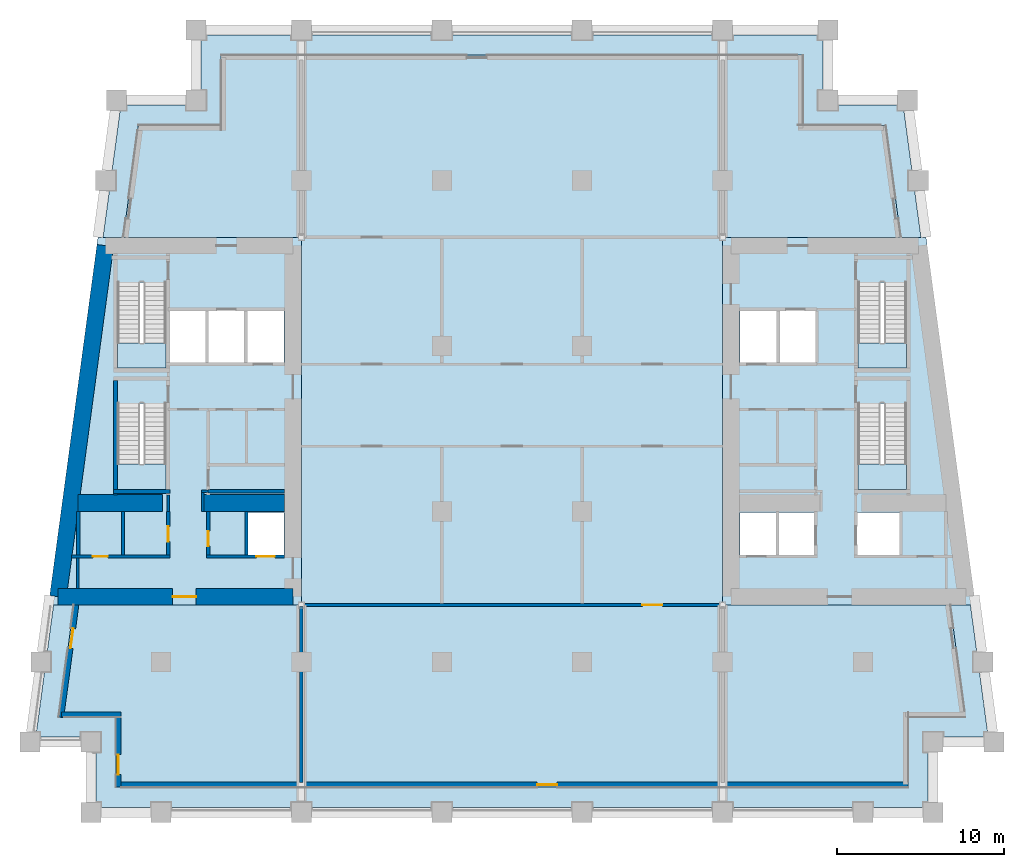
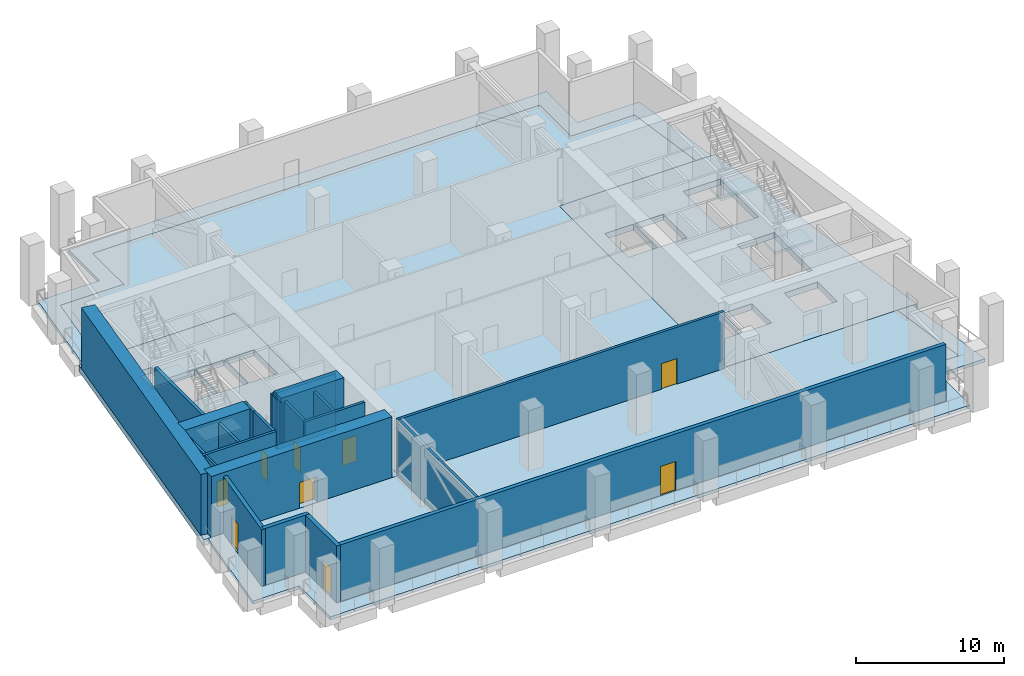
# One storey, part 4 of 11: 24 walls, 9 doors, 9 slabs, 9 openings, 4 elements without a shape of their own.
"""IFC4 building model written with IfcOpenShell, lengths in metres."""

from ifc_helpers import new_model, si_unit, direction, frame, frame_2d, origin, place, context, subcontext, project, spatial, polyline, rectangle, outline, extrude, material, layer, layer_set, type_object, element, fill, aggregate, save


model = new_model("IFC4")

# Units and contexts
model_context = context("Model", 3, precision=1e-05, world=origin(), true_north=direction((0.0, 1.0)))
body_context = subcontext(model_context, "Body", "Model", "MODEL_VIEW")
ifc_project = project(units=[si_unit("LENGTHUNIT", "METRE"), si_unit("AREAUNIT", "SQUARE_METRE"), si_unit("VOLUMEUNIT", "CUBIC_METRE"), si_unit("PLANEANGLEUNIT", "RADIAN"), si_unit("MASSUNIT", "GRAM", prefix="KILO")], contexts=[model_context])

# Site, building, storey
site_placement = place(None, origin())
site = spatial("IfcSite", under=ifc_project, at=site_placement, CompositionType="ELEMENT")
building_placement = place(site_placement, origin())
building = spatial("IfcBuilding", under=site, at=building_placement, Name="Candeia Pilgrim Tower and Theatre", CompositionType="ELEMENT")
storey_placement = place(building_placement, frame((0.0, 0.0, 142.800048828125)))
storey = spatial("IfcBuildingStorey", under=building, at=storey_placement, Name="L33", CompositionType="ELEMENT", Elevation=142.800048828125)

# Slabs
ifc_material_1 = material(Name="Concrete C60/75", Category="concrete")
ifc_layer_1 = layer(ifc_material_1, 0.5)
ifc_layer_set_1 = layer_set([ifc_layer_1], Name="FS-CORE 500 core floor")
slab_type_1 = type_object("IfcSlabType", Name="FS-CORE 500 core floor", PredefinedType="FLOOR", material=ifc_layer_set_1)
slab_1_placement = place(storey_placement, frame((0.0, 0.0, -0.5)))
element("IfcSlab", 1, at=slab_1_placement, inside=storey, type_object=slab_type_1, Name="Core floor W L33", PredefinedType="FLOOR", context=body_context, shape_type="SweptSolid", body=[
    extrude(outline(polyline([(100.800048828125, 132.39990234375), (100.800048828125, 110.39990234375), (85.669189453125, 110.39990234375), (88.630859375, 132.39990234375), (100.800048828125, 132.39990234375)]), holes=[polyline([(97.525634765625, 128.050048828125), (97.525634765625, 124.85009765625), (99.75, 124.85009765625), (99.75, 128.050048828125), (97.525634765625, 128.050048828125)]), polyline([(97.5634765625, 113.35009765625), (99.75, 113.35009765625), (99.75, 115.949951171875), (97.5634765625, 115.949951171875), (97.5634765625, 113.35009765625)]), polyline([(95.201416015625, 124.85009765625), (97.42578125, 124.85009765625), (97.42578125, 128.050048828125), (95.201416015625, 128.050048828125), (95.201416015625, 124.85009765625)]), polyline([(92.876953125, 128.050048828125), (92.876953125, 124.85009765625), (95.101318359375, 124.85009765625), (95.101318359375, 128.050048828125), (92.876953125, 128.050048828125)]), polyline([(89.802001953125, 122.455078125), (89.802001953125, 117.324951171875), (92.701904296875, 117.324951171875), (92.701904296875, 122.455078125), (89.802001953125, 122.455078125)]), polyline([(89.802001953125, 129.705078125), (89.802001953125, 124.574951171875), (92.701904296875, 124.574951171875), (92.701904296875, 129.705078125), (89.802001953125, 129.705078125)])]), origin(), (0.0, 0.0, 1.0), 0.5),
])
slab_2_placement = place(storey_placement, frame((0.0, 0.0, -0.5)))
element("IfcSlab", 2, at=slab_2_placement, inside=storey, type_object=slab_type_1, Name="Core floor E L33", PredefinedType="FLOOR", context=body_context, shape_type="SweptSolid", body=[
    extrude(outline(polyline([(138.169189453125, 132.39990234375), (141.130859375, 110.39990234375), (126.0, 110.39990234375), (126.0, 132.39990234375), (138.169189453125, 132.39990234375)]), holes=[polyline([(134.097900390625, 122.455078125), (134.097900390625, 117.324951171875), (136.998046875, 117.324951171875), (136.998046875, 122.455078125), (134.097900390625, 122.455078125)]), polyline([(134.097900390625, 129.705078125), (134.097900390625, 124.574951171875), (136.998046875, 124.574951171875), (136.998046875, 129.705078125), (134.097900390625, 129.705078125)]), polyline([(136.6220703125, 115.949951171875), (134.02294921875, 115.949951171875), (134.02294921875, 113.35009765625), (136.6220703125, 113.35009765625), (136.6220703125, 115.949951171875)]), polyline([(131.5986328125, 128.050048828125), (129.374267578125, 128.050048828125), (129.374267578125, 124.85009765625), (131.5986328125, 124.85009765625), (131.5986328125, 128.050048828125)]), polyline([(131.52294921875, 115.949951171875), (129.33642578125, 115.949951171875), (129.33642578125, 113.35009765625), (131.52294921875, 113.35009765625), (131.52294921875, 115.949951171875)]), polyline([(129.2744140625, 128.050048828125), (127.050048828125, 128.050048828125), (127.050048828125, 124.85009765625), (129.2744140625, 124.85009765625), (129.2744140625, 128.050048828125)]), polyline([(127.050048828125, 115.949951171875), (127.050048828125, 113.35009765625), (129.236572265625, 113.35009765625), (129.236572265625, 115.949951171875), (127.050048828125, 115.949951171875)])]), origin(), (0.0, 0.0, 1.0), 0.5),
])
ifc_material_2 = material(Name="Concrete C50/60", Category="concrete")
ifc_layer_2 = layer(ifc_material_2, 0.5)
ifc_layer_set_2 = layer_set([ifc_layer_2], Name="Floor slab 500 C50/60")
slab_type_2 = type_object("IfcSlabType", Name="Floor slab 500 C50/60", PredefinedType="FLOOR", material=ifc_layer_set_2)
slab_3_placement = place(storey_placement, frame((0.0, 0.0, -0.5)))
element("IfcSlab", 3, at=slab_3_placement, inside=storey, type_object=slab_type_2, Name="Floor slab L33", PredefinedType="FLOOR", context=body_context, shape_type="SweptSolid", body=[
    extrude(outline(polyline([(96.0, 139.10009765625), (96.0, 143.300048828125), (130.800048828125, 143.300048828125), (130.800048828125, 139.10009765625), (135.753662109375, 139.10009765625), (136.65576171875, 132.39990234375), (126.0, 132.39990234375), (126.0, 110.39990234375), (139.6171875, 110.39990234375), (140.51904296875, 103.699951171875), (137.10009765625, 103.699951171875), (137.10009765625, 99.5), (89.699951171875, 99.5), (89.699951171875, 103.699951171875), (86.28076171875, 103.699951171875), (87.182861328125, 110.39990234375), (100.800048828125, 110.39990234375), (100.800048828125, 132.39990234375), (90.144287109375, 132.39990234375), (91.046142578125, 139.10009765625), (96.0, 139.10009765625)])), origin(), (0.0, 0.0, 1.0), 0.5),
])
ifc_material_3 = material(Name="Concrete C40/50", Category="concrete")
ifc_layer_3 = layer(ifc_material_3, 0.25)
ifc_layer_set_3 = layer_set([ifc_layer_3], Name="Loggia slab 250 C40/50")
slab_type_3 = type_object("IfcSlabType", Name="Loggia slab 250 C40/50", PredefinedType="FLOOR", material=ifc_layer_set_3)
slab_4_placement = place(storey_placement, frame((0.0, 0.0, -0.25)))
element("IfcSlab", 4, at=slab_4_placement, inside=storey, type_object=slab_type_3, Name="Loggia slab L33 1", PredefinedType="FLOOR", context=body_context, shape_type="SweptSolid", body=[
    extrude(outline(polyline([(87.182861328125, 110.39990234375), (86.28076171875, 103.699951171875), (89.699951171875, 103.699951171875), (89.699951171875, 99.5), (137.10009765625, 99.5), (137.10009765625, 103.699951171875), (140.51904296875, 103.699951171875), (139.6171875, 110.39990234375), (140.828125, 110.39990234375), (141.8916015625, 102.5), (138.300048828125, 102.5), (138.300048828125, 98.300048828125), (88.5, 98.300048828125), (88.5, 102.5), (84.908447265625, 102.5), (85.971923828125, 110.39990234375), (87.182861328125, 110.39990234375)])), origin(), (0.0, 0.0, 1.0), 0.25),
])
slab_5_placement = place(storey_placement, frame((0.0, 0.0, -0.25)))
element("IfcSlab", 5, at=slab_5_placement, inside=storey, type_object=slab_type_3, Name="Loggia slab L33 2", PredefinedType="FLOOR", context=body_context, shape_type="SweptSolid", body=[
    extrude(outline(polyline([(136.65576171875, 132.39990234375), (135.753662109375, 139.10009765625), (130.800048828125, 139.10009765625), (130.800048828125, 143.300048828125), (96.0, 143.300048828125), (96.0, 139.10009765625), (91.046142578125, 139.10009765625), (90.144287109375, 132.39990234375), (88.93359375, 132.39990234375), (89.996826171875, 140.300048828125), (94.800048828125, 140.300048828125), (94.800048828125, 144.5), (132.0, 144.5), (132.0, 140.300048828125), (136.802978515625, 140.300048828125), (137.866455078125, 132.39990234375), (136.65576171875, 132.39990234375)])), origin(), (0.0, 0.0, 1.0), 0.25),
])

# Stair, slab
stair_type = type_object("IfcStairType", Name="ST-TWR dog-leg escape stair", PredefinedType="HALF_TURN_STAIR", material=ifc_material_3)
stair_1_placement = place(storey_placement, origin())
stair_1 = element("IfcStair", 6, at=stair_1_placement, inside=storey, type_object=stair_type, Name="L33 Escape stair ST1", PredefinedType="HALF_TURN_STAIR")
ifc_layer_4 = layer(ifc_material_3, 0.199951171875)
ifc_layer_set_4 = layer_set([ifc_layer_4], Name="SL-LANDING stair landing")
slab_type_4 = type_object("IfcSlabType", Name="SL-LANDING stair landing", PredefinedType="LANDING", material=ifc_layer_set_4)
slab_6_placement = place(storey_placement, frame((0.0, 0.0, 2.300048828125)))
slab_6 = element("IfcSlab", 7, at=slab_6_placement, type_object=slab_type_4, Name="ST1 landing 1", PredefinedType="LANDING", context=body_context, shape_type="SweptSolid", body=[
    extrude(outline(polyline([(89.802001953125, 118.8349609375), (89.802001953125, 117.324951171875), (92.701904296875, 117.324951171875), (92.701904296875, 118.8349609375), (89.802001953125, 118.8349609375)])), origin(), (0.0, 0.0, 1.0), 0.199951171875),
])
aggregate(stair_1, [slab_6])

stair_2_placement = place(storey_placement, origin())
stair_2 = element("IfcStair", 8, at=stair_2_placement, inside=storey, type_object=stair_type, Name="L33 Escape stair ST2", PredefinedType="HALF_TURN_STAIR")
slab_7_placement = place(storey_placement, frame((0.0, 0.0, 2.300048828125)))
slab_7 = element("IfcSlab", 9, at=slab_7_placement, type_object=slab_type_4, Name="ST2 landing 1", PredefinedType="LANDING", context=body_context, shape_type="SweptSolid", body=[
    extrude(outline(polyline([(89.802001953125, 126.0849609375), (89.802001953125, 124.574951171875), (92.701904296875, 124.574951171875), (92.701904296875, 126.0849609375), (89.802001953125, 126.0849609375)])), origin(), (0.0, 0.0, 1.0), 0.199951171875),
])
aggregate(stair_2, [slab_7])

stair_3_placement = place(storey_placement, origin())
stair_3 = element("IfcStair", 10, at=stair_3_placement, inside=storey, type_object=stair_type, Name="L33 Escape stair ST3", PredefinedType="HALF_TURN_STAIR")
slab_8_placement = place(storey_placement, frame((0.0, 0.0, 2.300048828125)))
slab_8 = element("IfcSlab", 11, at=slab_8_placement, type_object=slab_type_4, Name="ST3 landing 1", PredefinedType="LANDING", context=body_context, shape_type="SweptSolid", body=[
    extrude(outline(polyline([(134.097900390625, 118.8349609375), (134.097900390625, 117.324951171875), (136.998046875, 117.324951171875), (136.998046875, 118.8349609375), (134.097900390625, 118.8349609375)])), origin(), (0.0, 0.0, 1.0), 0.199951171875),
])
aggregate(stair_3, [slab_8])

stair_4_placement = place(storey_placement, origin())
stair_4 = element("IfcStair", 12, at=stair_4_placement, inside=storey, type_object=stair_type, Name="L33 Escape stair ST4", PredefinedType="HALF_TURN_STAIR")
slab_9_placement = place(storey_placement, frame((0.0, 0.0, 2.300048828125)))
slab_9 = element("IfcSlab", 13, at=slab_9_placement, type_object=slab_type_4, Name="ST4 landing 1", PredefinedType="LANDING", context=body_context, shape_type="SweptSolid", body=[
    extrude(outline(polyline([(134.097900390625, 126.0849609375), (134.097900390625, 124.574951171875), (136.998046875, 124.574951171875), (136.998046875, 126.0849609375), (134.097900390625, 126.0849609375)])), origin(), (0.0, 0.0, 1.0), 0.199951171875),
])
aggregate(stair_4, [slab_9])

# Wall, opening, door
ifc_material_4 = material(Name="Concrete C70/85", Category="concrete")
ifc_layer_5 = layer(ifc_material_4, 1.0)
ifc_layer_set_5 = layer_set([ifc_layer_5], Name="Core wall 1000 C70/85")
wall_type_1 = type_object("IfcWallType", Name="Core wall 1000 C70/85", PredefinedType="SHEAR", material=ifc_layer_set_5)
wall_1_placement = place(storey_placement, frame((100.300048828125, 110.89990234375, 0.0), z_axis=(0.0, 0.0, 1.0), x_axis=(-1.0, 0.0, 0.0)))
wall_1 = element("IfcWall", 14, at=wall_1_placement, inside=storey, type_object=wall_type_1, Name="Core wall W3", PredefinedType="SHEAR", context=body_context, shape_type="SweptSolid", body=[
    extrude(rectangle(XDim=14.05908203125, YDim=1.0, at=frame_2d((7.029541015625, 0.0))), origin(), (0.0, 0.0, 1.0), 5.0),
])
opening_1_placement = place(wall_1_placement, frame((5.801513671875, 0.0, 0.0)))
opening_1 = element("IfcOpeningElement", 15, at=opening_1_placement, cuts=wall_1, Name="Opening L33-D025", PredefinedType="OPENING", context=body_context, shape_type="SweptSolid", body=[
    extrude(rectangle(XDim=1.39990234375, YDim=2.10009765625, at=frame_2d((0.699951171875, 1.050048828125))), frame((0.0, 0.510009765625, 0.0), z_axis=(0.0, -1.0, 0.0), x_axis=(1.0, 0.0, 0.0)), (0.0, 0.0, 1.0), 1.02001953125),
])
ifc_material_5 = material(Name="Steel fire door set", Category="steel")
door_type_1 = type_object("IfcDoorType", Name="D-1400-FD60", OperationType="NOTDEFINED", PredefinedType="DOOR", material=ifc_material_5)
door_1_placement = place(opening_1_placement, origin())
door_1 = element("IfcDoor", 16, at=door_1_placement, inside=storey, type_object=door_type_1, Name="Door L33-D025", OperationType="SINGLE_SWING_RIGHT", OverallHeight=2.10009765625, OverallWidth=1.39990234375, PredefinedType="DOOR", context=body_context, shape_type="SweptSolid", body=[
    extrude(rectangle(XDim=1.39990234375, YDim=2.10009765625, at=frame_2d((0.699951171875, 1.050048828125))), frame((0.0, 0.02490234375, 0.0), z_axis=(0.0, -1.0, 0.0), x_axis=(1.0, 0.0, 0.0)), (0.0, 0.0, 1.0), 0.050048828125),
])
fill(opening_1, door_1)

# Walls
wall_2_placement = place(storey_placement, frame((86.240966796875, 110.89990234375, 0.0), z_axis=(0.0, 0.0, 1.0), x_axis=(0.133411141623, 0.991060778808, 0.0)))
element("IfcWall", 17, at=wall_2_placement, inside=storey, type_object=wall_type_1, Name="Core wall W4", PredefinedType="SHEAR", context=body_context, shape_type="SweptSolid", body=[
    extrude(rectangle(XDim=21.189453125, YDim=1.0, at=frame_2d((10.5947265625, 0.0))), origin(), (0.0, 0.0, 1.0), 5.0),
])
wall_3_placement = place(storey_placement, frame((87.423095703125, 116.5, 0.0), z_axis=(0.0, 0.0, 1.0), x_axis=(1.0, 0.0, 0.0)))
element("IfcWall", 18, at=wall_3_placement, inside=storey, type_object=wall_type_1, Name="Core wall W5", PredefinedType="SHEAR", context=body_context, shape_type="SweptSolid", body=[
    extrude(rectangle(XDim=5.076904296875, YDim=1.0, at=frame_2d((2.53857421875, 0.0))), origin(), (0.0, 0.0, 1.0), 5.0),
])
wall_4_placement = place(storey_placement, frame((94.89990234375, 116.5, 0.0), z_axis=(0.0, 0.0, 1.0), x_axis=(1.0, 0.0, 0.0)))
element("IfcWall", 19, at=wall_4_placement, inside=storey, type_object=wall_type_1, Name="Core wall W6", PredefinedType="SHEAR", context=body_context, shape_type="SweptSolid", body=[
    extrude(rectangle(XDim=4.900146484375, YDim=1.0, at=frame_2d((2.4501953125, 0.0))), origin(), (0.0, 0.0, 1.0), 5.0),
])

# Wall, opening, door
ifc_material_6 = material(Name="Ceramic block masonry", Category="masonry")
ifc_layer_6 = layer(ifc_material_6, 0.300048828125)
ifc_layer_set_6 = layer_set([ifc_layer_6], Name="EW1 glazing-line wall 300")
wall_type_2 = type_object("IfcWallType", Name="EW1 glazing-line wall 300", PredefinedType="SOLIDWALL", material=ifc_layer_set_6)
wall_5_placement = place(storey_placement, frame((89.85009765625, 99.64990234375, 0.0), z_axis=(0.0, 0.0, 1.0), x_axis=(1.0, 0.0, 0.0)))
wall_5 = element("IfcWall", 20, at=wall_5_placement, inside=storey, type_object=wall_type_2, Name="External wall L33-0.0", PredefinedType="SOLIDWALL", context=body_context, shape_type="SweptSolid", body=[
    extrude(rectangle(XDim=47.25, YDim=0.300048828125, at=frame_2d((23.625, 0.0))), origin(), (0.0, 0.0, 1.0), 4.679931640625),
])
opening_2_placement = place(wall_5_placement, frame((25.050048828125, 0.0, 0.0)))
opening_2 = element("IfcOpeningElement", 21, at=opening_2_placement, cuts=wall_5, Name="Opening L33-ED319", PredefinedType="OPENING", context=body_context, shape_type="SweptSolid", body=[
    extrude(rectangle(XDim=1.199951171875, YDim=2.39990234375, at=frame_2d((0.60009765625, 1.199951171875))), frame((0.0, 0.16015625, 0.0), z_axis=(0.0, -1.0, 0.0), x_axis=(1.0, 0.0, 0.0)), (0.0, 0.0, 1.0), 0.320068359375),
])
ifc_material_7 = material(Name="Aluminium framed glazed door", Category="aluminium")
door_type_2 = type_object("IfcDoorType", Name="Loggia door 1200x2400", OperationType="DOUBLE_DOOR_SINGLE_SWING", PredefinedType="DOOR", material=ifc_material_7)
door_2_placement = place(opening_2_placement, origin())
door_2 = element("IfcDoor", 22, at=door_2_placement, inside=storey, type_object=door_type_2, Name="Loggia door L33-ED319", OperationType="DOUBLE_DOOR_SINGLE_SWING", OverallHeight=2.39990234375, OverallWidth=1.199951171875, PredefinedType="DOOR", context=body_context, shape_type="SweptSolid", body=[
    extrude(rectangle(XDim=1.199951171875, YDim=2.39990234375, at=frame_2d((0.60009765625, 1.199951171875))), frame((0.0, 0.02490234375, 0.0), z_axis=(0.0, -1.0, 0.0), x_axis=(1.0, 0.0, 0.0)), (0.0, 0.0, 1.0), 0.050048828125),
])
fill(opening_2, door_2)

wall_6_placement = place(storey_placement, frame((87.334228515625, 110.39990234375, 0.0), z_axis=(0.0, 0.0, 1.0), x_axis=(-0.133437175554, -0.991057273915, 0.0)))
wall_6 = element("IfcWall", 23, at=wall_6_placement, inside=storey, type_object=wall_type_2, Name="External wall L33-9.1", PredefinedType="SOLIDWALL", context=body_context, shape_type="SweptSolid", body=[
    extrude(rectangle(XDim=6.780517578125, YDim=0.300048828125, at=frame_2d((3.39013671875, 0.0))), origin(), (0.0, 0.0, 1.0), 4.679931640625),
])
opening_3_placement = place(wall_6_placement, frame((1.41796875, 0.0, 0.0)))
opening_3 = element("IfcOpeningElement", 24, at=opening_3_placement, cuts=wall_6, Name="Opening L33-ED324", PredefinedType="OPENING", context=body_context, shape_type="SweptSolid", body=[
    extrude(rectangle(XDim=1.199951171875, YDim=2.39990234375, at=frame_2d((0.60009765625, 1.199951171875))), frame((0.0, 0.16015625, 0.0), z_axis=(0.0, -1.0, 0.0), x_axis=(1.0, 0.0, 0.0)), (0.0, 0.0, 1.0), 0.320068359375),
])
door_3_placement = place(opening_3_placement, origin())
door_3 = element("IfcDoor", 25, at=door_3_placement, inside=storey, type_object=door_type_2, Name="Loggia door L33-ED324", OperationType="DOUBLE_DOOR_SINGLE_SWING", OverallHeight=2.39990234375, OverallWidth=1.199951171875, PredefinedType="DOOR", context=body_context, shape_type="SweptSolid", body=[
    extrude(rectangle(XDim=1.199951171875, YDim=2.39990234375, at=frame_2d((0.60009765625, 1.199951171875))), frame((0.0, 0.02490234375, 0.0), z_axis=(0.0, -1.0, 0.0), x_axis=(1.0, 0.0, 0.0)), (0.0, 0.0, 1.0), 0.050048828125),
])
fill(opening_3, door_3)

# Wall
wall_7_placement = place(storey_placement, frame((86.452392578125, 103.85009765625, 0.0), z_axis=(0.0, 0.0, 1.0), x_axis=(1.0, 0.0, 0.0)))
element("IfcWall", 26, at=wall_7_placement, inside=storey, type_object=wall_type_2, Name="External wall L33-10.0", PredefinedType="SOLIDWALL", context=body_context, shape_type="SweptSolid", body=[
    extrude(rectangle(XDim=3.547607421875, YDim=0.300048828125, at=frame_2d((1.77392578125, 0.0))), origin(), (0.0, 0.0, 1.0), 4.679931640625),
])

# Wall, opening, door
wall_8_placement = place(storey_placement, frame((89.85009765625, 103.85009765625, 0.0), z_axis=(0.0, 0.0, 1.0), x_axis=(0.0, -1.0, 0.0)))
wall_8 = element("IfcWall", 27, at=wall_8_placement, inside=storey, type_object=wall_type_2, Name="External wall L33-11.0", PredefinedType="SOLIDWALL", context=body_context, shape_type="SweptSolid", body=[
    extrude(rectangle(XDim=4.35009765625, YDim=0.300048828125, at=frame_2d((2.175048828125, 0.0))), origin(), (0.0, 0.0, 1.0), 4.679931640625),
])
opening_4_placement = place(wall_8_placement, frame((2.39990234375, 0.0, 0.0)))
opening_4 = element("IfcOpeningElement", 28, at=opening_4_placement, cuts=wall_8, Name="Opening L33-ED325", PredefinedType="OPENING", context=body_context, shape_type="SweptSolid", body=[
    extrude(rectangle(XDim=1.199951171875, YDim=2.39990234375, at=frame_2d((0.60009765625, 1.199951171875))), frame((0.0, 0.16015625, 0.0), z_axis=(0.0, -1.0, 0.0), x_axis=(1.0, 0.0, 0.0)), (0.0, 0.0, 1.0), 0.320068359375),
])
door_4_placement = place(opening_4_placement, origin())
door_4 = element("IfcDoor", 29, at=door_4_placement, inside=storey, type_object=door_type_2, Name="Loggia door L33-ED325", OperationType="DOUBLE_DOOR_SINGLE_SWING", OverallHeight=2.39990234375, OverallWidth=1.199951171875, PredefinedType="DOOR", context=body_context, shape_type="SweptSolid", body=[
    extrude(rectangle(XDim=1.199951171875, YDim=2.39990234375, at=frame_2d((0.60009765625, 1.199951171875))), frame((0.0, 0.02490234375, 0.0), z_axis=(0.0, -1.0, 0.0), x_axis=(1.0, 0.0, 0.0)), (0.0, 0.0, 1.0), 0.050048828125),
])
fill(opening_4, door_4)

# Walls
ifc_material_8 = material(Name="Gypsum board partition on steel studs", Category="steel")
ifc_layer_7 = layer(ifc_material_8, 0.14990234375)
ifc_layer_set_7 = layer_set([ifc_layer_7], Name="PW-150 lobby wall")
wall_type_3 = type_object("IfcWallType", Name="PW-150 lobby wall", PredefinedType="PARTITIONING", material=ifc_layer_set_7)
wall_9_placement = place(storey_placement, frame((94.824951171875, 117.199951171875, 0.0), z_axis=(0.0, 0.0, 1.0), x_axis=(1.0, 0.0, 0.0)))
element("IfcWall", 30, at=wall_9_placement, inside=storey, type_object=wall_type_3, Name="Lobby wall L33-008", PredefinedType="PARTITIONING", context=body_context, shape_type="SweptSolid", body=[
    extrude(rectangle(XDim=0.402099609375, YDim=0.14990234375, at=frame_2d((0.201171875, 0.0))), origin(), (0.0, 0.0, 1.0), 4.679931640625),
])
wall_10_placement = place(storey_placement, frame((87.428955078125, 111.39990234375, 0.0), z_axis=(0.0, 0.0, 1.0), x_axis=(0.0, 1.0, 0.0)))
element("IfcWall", 31, at=wall_10_placement, inside=storey, type_object=wall_type_3, Name="Lobby wall L33-034", PredefinedType="PARTITIONING", context=body_context, shape_type="SweptSolid", body=[
    extrude(rectangle(XDim=1.800048828125, YDim=0.14990234375, at=frame_2d((0.89990234375, 0.0))), origin(), (0.0, 0.0, 1.0), 4.679931640625),
])
wall_11_placement = place(storey_placement, frame((92.826904296875, 116.0, 0.0), z_axis=(0.0, 0.0, 1.0), x_axis=(0.0, 1.0, 0.0)))
element("IfcWall", 32, at=wall_11_placement, inside=storey, type_object=wall_type_3, Name="Lobby wall L33-039", PredefinedType="PARTITIONING", context=body_context, shape_type="SweptSolid", body=[
    extrude(rectangle(XDim=0.969970703125, YDim=0.14990234375, at=frame_2d((0.48486328125, 0.0))), origin(), (0.0, 0.0, 1.0), 4.679931640625),
])
wall_12_placement = place(storey_placement, frame((94.89990234375, 116.0, 0.0), z_axis=(0.0, 0.0, 1.0), x_axis=(0.0, 1.0, 0.0)))
element("IfcWall", 33, at=wall_12_placement, inside=storey, type_object=wall_type_3, Name="Lobby wall L33-043", PredefinedType="PARTITIONING", context=body_context, shape_type="SweptSolid", body=[
    extrude(rectangle(XDim=1.125, YDim=0.14990234375, at=frame_2d((0.5625, 0.0))), origin(), (0.0, 0.0, 1.0), 4.679931640625),
])

# Wall, opening, door
ifc_layer_8 = layer(ifc_material_8, 0.199951171875)
ifc_layer_set_8 = layer_set([ifc_layer_8], Name="PW-200 party wall")
wall_type_4 = type_object("IfcWallType", Name="PW-200 party wall", PredefinedType="PARTITIONING", material=ifc_layer_set_8)
wall_13_placement = place(storey_placement, frame((100.699951171875, 110.39990234375, 0.0), z_axis=(0.0, 0.0, 1.0), x_axis=(1.0, 0.0, 0.0)))
wall_13 = element("IfcWall", 34, at=wall_13_placement, inside=storey, type_object=wall_type_4, Name="Party wall L33-001", PredefinedType="PARTITIONING", context=body_context, shape_type="SweptSolid", body=[
    extrude(rectangle(XDim=25.400146484375, YDim=0.199951171875, at=frame_2d((12.7001953125, 0.0))), origin(), (0.0, 0.0, 1.0), 4.679931640625),
])
opening_5_placement = place(wall_13_placement, frame((20.5, 0.0, 0.0)))
opening_5 = element("IfcOpeningElement", 35, at=opening_5_placement, cuts=wall_13, Name="Opening L33-D007", PredefinedType="OPENING", context=body_context, shape_type="SweptSolid", body=[
    extrude(rectangle(XDim=1.199951171875, YDim=2.10009765625, at=frame_2d((0.60009765625, 1.050048828125))), frame((0.0, 0.10986328125, 0.0), z_axis=(0.0, -1.0, 0.0), x_axis=(1.0, 0.0, 0.0)), (0.0, 0.0, 1.0), 0.219970703125),
])
door_type_3 = type_object("IfcDoorType", Name="D-1200-FD60", OperationType="NOTDEFINED", PredefinedType="DOOR", material=ifc_material_5)
door_5_placement = place(opening_5_placement, origin())
door_5 = element("IfcDoor", 36, at=door_5_placement, inside=storey, type_object=door_type_3, Name="Door L33-D007", OperationType="SINGLE_SWING_RIGHT", OverallHeight=2.10009765625, OverallWidth=1.199951171875, PredefinedType="DOOR", context=body_context, shape_type="SweptSolid", body=[
    extrude(rectangle(XDim=1.199951171875, YDim=2.10009765625, at=frame_2d((0.60009765625, 1.050048828125))), frame((0.0, 0.02490234375, 0.0), z_axis=(0.0, -1.0, 0.0), x_axis=(1.0, 0.0, 0.0)), (0.0, 0.0, 1.0), 0.050048828125),
])
fill(opening_5, door_5)

# Wall
wall_14_placement = place(storey_placement, frame((100.800048828125, 99.7900390625, 0.0), z_axis=(0.0, 0.0, 1.0), x_axis=(0.0, 1.0, 0.0)))
element("IfcWall", 37, at=wall_14_placement, inside=storey, type_object=wall_type_4, Name="Party wall L33-050", PredefinedType="PARTITIONING", context=body_context, shape_type="SweptSolid", body=[
    extrude(rectangle(XDim=10.510009765625, YDim=0.199951171875, at=frame_2d((5.2548828125, 0.0))), origin(), (0.0, 0.0, 1.0), 4.679931640625),
])

# Wall, opening, door
ifc_layer_9 = layer(ifc_material_3, 0.199951171875)
ifc_layer_set_9 = layer_set([ifc_layer_9], Name="SW-200 shaft wall")
wall_type_5 = type_object("IfcWallType", Name="SW-200 shaft wall", PredefinedType="PARTITIONING", material=ifc_layer_set_9)
wall_15_placement = place(storey_placement, frame((87.03857421875, 113.300048828125, 0.0), z_axis=(0.0, 0.0, 1.0), x_axis=(1.0, 0.0, 0.0)))
wall_15 = element("IfcWall", 38, at=wall_15_placement, inside=storey, type_object=wall_type_5, Name="Shaft wall L33-002", PredefinedType="PARTITIONING", context=body_context, shape_type="SweptSolid", body=[
    extrude(rectangle(XDim=5.888427734375, YDim=0.199951171875, at=frame_2d((2.9443359375, 0.0))), origin(), (0.0, 0.0, 1.0), 4.679931640625),
])
opening_6_placement = place(wall_15_placement, frame((1.290283203125, 0.0, 0.0)))
opening_6 = element("IfcOpeningElement", 39, at=opening_6_placement, cuts=wall_15, Name="Opening L33-D015", PredefinedType="OPENING", context=body_context, shape_type="SweptSolid", body=[
    extrude(rectangle(XDim=0.89990234375, YDim=2.10009765625, at=frame_2d((0.449951171875, 1.050048828125))), frame((0.0, 0.10986328125, 0.0), z_axis=(0.0, -1.0, 0.0), x_axis=(1.0, 0.0, 0.0)), (0.0, 0.0, 1.0), 0.219970703125),
])
door_type_4 = type_object("IfcDoorType", Name="D-900-FD60", OperationType="NOTDEFINED", PredefinedType="DOOR", material=ifc_material_5)
door_6_placement = place(opening_6_placement, origin())
door_6 = element("IfcDoor", 40, at=door_6_placement, inside=storey, type_object=door_type_4, Name="Door L33-D015", OperationType="SINGLE_SWING_LEFT", OverallHeight=2.10009765625, OverallWidth=0.89990234375, PredefinedType="DOOR", context=body_context, shape_type="SweptSolid", body=[
    extrude(rectangle(XDim=0.89990234375, YDim=2.10009765625, at=frame_2d((0.449951171875, 1.050048828125))), frame((0.0, 0.02490234375, 0.0), z_axis=(0.0, -1.0, 0.0), x_axis=(1.0, 0.0, 0.0)), (0.0, 0.0, 1.0), 0.050048828125),
])
fill(opening_6, door_6)

wall_16_placement = place(storey_placement, frame((95.126953125, 113.300048828125, 0.0), z_axis=(0.0, 0.0, 1.0), x_axis=(1.0, 0.0, 0.0)))
wall_16 = element("IfcWall", 41, at=wall_16_placement, inside=storey, type_object=wall_type_5, Name="Shaft wall L33-003", PredefinedType="PARTITIONING", context=body_context, shape_type="SweptSolid", body=[
    extrude(rectangle(XDim=4.673095703125, YDim=0.199951171875, at=frame_2d((2.33642578125, 0.0))), origin(), (0.0, 0.0, 1.0), 4.679931640625),
])
opening_7_placement = place(wall_16_placement, frame((2.97998046875, 0.0, 0.0)))
opening_7 = element("IfcOpeningElement", 42, at=opening_7_placement, cuts=wall_16, Name="Opening L33-LD03", PredefinedType="OPENING", context=body_context, shape_type="SweptSolid", body=[
    extrude(rectangle(XDim=1.10009765625, YDim=2.10009765625, at=frame_2d((0.550048828125, 1.050048828125))), frame((0.0, 0.10986328125, 0.0), z_axis=(0.0, -1.0, 0.0), x_axis=(1.0, 0.0, 0.0)), (0.0, 0.0, 1.0), 0.219970703125),
])
ifc_material_9 = material(Name="Glazed aluminium landing door", Category="aluminium")
door_type_5 = type_object("IfcDoorType", Name="LD-1100-EI120", OperationType="SLIDING_TO_LEFT", PredefinedType="DOOR", material=ifc_material_9)
door_7_placement = place(opening_7_placement, origin())
door_7 = element("IfcDoor", 43, at=door_7_placement, inside=storey, type_object=door_type_5, Name="Landing door 03 L33", OperationType="SLIDING_TO_LEFT", OverallHeight=2.10009765625, OverallWidth=1.10009765625, PredefinedType="DOOR", context=body_context, shape_type="SweptSolid", body=[
    extrude(rectangle(XDim=1.10009765625, YDim=2.10009765625, at=frame_2d((0.550048828125, 1.050048828125))), frame((0.0, 0.02490234375, 0.0), z_axis=(0.0, -1.0, 0.0), x_axis=(1.0, 0.0, 0.0)), (0.0, 0.0, 1.0), 0.050048828125),
])
fill(opening_7, door_7)

# Walls
wall_17_placement = place(storey_placement, frame((95.22705078125, 117.199951171875, 0.0), z_axis=(0.0, 0.0, 1.0), x_axis=(1.0, 0.0, 0.0)))
element("IfcWall", 44, at=wall_17_placement, inside=storey, type_object=wall_type_5, Name="Shaft wall L33-006", PredefinedType="PARTITIONING", context=body_context, shape_type="SweptSolid", body=[
    extrude(rectangle(XDim=4.572998046875, YDim=0.199951171875, at=frame_2d((2.28662109375, 0.0))), origin(), (0.0, 0.0, 1.0), 4.679931640625),
])
for number, where, z_axis, x_axis, name in (
    (45, (87.451171875, 113.39990234375, 0.0), (0.0, 0.0, 1.0), (0.0, 1.0, 0.0), "Shaft wall L33-033"),
    (46, (90.1279296875, 113.39990234375, 0.0), (0.0, 0.0, 1.0), (0.0, 1.0, 0.0), "Shaft wall L33-037"),
):
    element("IfcWall", number, at=place(storey_placement, frame(where, z_axis=z_axis, x_axis=x_axis)), inside=storey, type_object=wall_type_5, Name=name, PredefinedType="PARTITIONING", context=body_context, shape_type="SweptSolid", body=[
        extrude(rectangle(XDim=2.60009765625, YDim=0.199951171875, at=frame_2d((1.300048828125, 0.0))), origin(), (0.0, 0.0, 1.0), 4.679931640625),
    ])

# Wall, opening, door
wall_18_placement = place(storey_placement, frame((92.826904296875, 113.39990234375, 0.0), z_axis=(0.0, 0.0, 1.0), x_axis=(0.0, 1.0, 0.0)))
wall_18 = element("IfcWall", 47, at=wall_18_placement, inside=storey, type_object=wall_type_5, Name="Shaft wall L33-038", PredefinedType="PARTITIONING", context=body_context, shape_type="SweptSolid", body=[
    extrude(rectangle(XDim=2.60009765625, YDim=0.199951171875, at=frame_2d((1.300048828125, 0.0))), origin(), (0.0, 0.0, 1.0), 4.679931640625),
])
opening_8_placement = place(wall_18_placement, frame((0.800048828125, 0.0, 0.0)))
opening_8 = element("IfcOpeningElement", 48, at=opening_8_placement, cuts=wall_18, Name="Opening L33-D016", PredefinedType="OPENING", context=body_context, shape_type="SweptSolid", body=[
    extrude(rectangle(XDim=0.89990234375, YDim=2.10009765625, at=frame_2d((0.449951171875, 1.050048828125))), frame((0.0, 0.10986328125, 0.0), z_axis=(0.0, -1.0, 0.0), x_axis=(1.0, 0.0, 0.0)), (0.0, 0.0, 1.0), 0.219970703125),
])
door_8_placement = place(opening_8_placement, origin())
door_8 = element("IfcDoor", 49, at=door_8_placement, inside=storey, type_object=door_type_4, Name="Door L33-D016", OperationType="SINGLE_SWING_RIGHT", OverallHeight=2.10009765625, OverallWidth=0.89990234375, PredefinedType="DOOR", context=body_context, shape_type="SweptSolid", body=[
    extrude(rectangle(XDim=0.89990234375, YDim=2.10009765625, at=frame_2d((0.449951171875, 1.050048828125))), frame((0.0, 0.02490234375, 0.0), z_axis=(0.0, -1.0, 0.0), x_axis=(1.0, 0.0, 0.0)), (0.0, 0.0, 1.0), 0.050048828125),
])
fill(opening_8, door_8)

wall_19_placement = place(storey_placement, frame((95.22705078125, 113.39990234375, 0.0), z_axis=(0.0, 0.0, 1.0), x_axis=(0.0, 1.0, 0.0)))
wall_19 = element("IfcWall", 50, at=wall_19_placement, inside=storey, type_object=wall_type_5, Name="Shaft wall L33-045", PredefinedType="PARTITIONING", context=body_context, shape_type="SweptSolid", body=[
    extrude(rectangle(XDim=2.60009765625, YDim=0.199951171875, at=frame_2d((1.300048828125, 0.0))), origin(), (0.0, 0.0, 1.0), 4.679931640625),
])
opening_9_placement = place(wall_19_placement, frame((0.52490234375, 0.0, 0.0)))
opening_9 = element("IfcOpeningElement", 51, at=opening_9_placement, cuts=wall_19, Name="Opening L33-D017", PredefinedType="OPENING", context=body_context, shape_type="SweptSolid", body=[
    extrude(rectangle(XDim=0.89990234375, YDim=2.10009765625, at=frame_2d((0.449951171875, 1.050048828125))), frame((0.0, 0.10986328125, 0.0), z_axis=(0.0, -1.0, 0.0), x_axis=(1.0, 0.0, 0.0)), (0.0, 0.0, 1.0), 0.219970703125),
])
door_9_placement = place(opening_9_placement, origin())
door_9 = element("IfcDoor", 52, at=door_9_placement, inside=storey, type_object=door_type_4, Name="Door L33-D017", OperationType="SINGLE_SWING_LEFT", OverallHeight=2.10009765625, OverallWidth=0.89990234375, PredefinedType="DOOR", context=body_context, shape_type="SweptSolid", body=[
    extrude(rectangle(XDim=0.89990234375, YDim=2.10009765625, at=frame_2d((0.449951171875, 1.050048828125))), frame((0.0, 0.02490234375, 0.0), z_axis=(0.0, -1.0, 0.0), x_axis=(1.0, 0.0, 0.0)), (0.0, 0.0, 1.0), 0.050048828125),
])
fill(opening_9, door_9)

# Walls
wall_20_placement = place(storey_placement, frame((97.513427734375, 113.39990234375, 0.0), z_axis=(0.0, 0.0, 1.0), x_axis=(0.0, 1.0, 0.0)))
element("IfcWall", 53, at=wall_20_placement, inside=storey, type_object=wall_type_5, Name="Shaft wall L33-048", PredefinedType="PARTITIONING", context=body_context, shape_type="SweptSolid", body=[
    extrude(rectangle(XDim=2.60009765625, YDim=0.199951171875, at=frame_2d((1.300048828125, 0.0))), origin(), (0.0, 0.0, 1.0), 4.679931640625),
])
ifc_layer_10 = layer(ifc_material_3, 0.25)
ifc_layer_set_10 = layer_set([ifc_layer_10], Name="SW-250 stair wall")
wall_type_6 = type_object("IfcWallType", Name="SW-250 stair wall", PredefinedType="PARTITIONING", material=ifc_layer_set_10)
wall_21_placement = place(storey_placement, frame((89.552001953125, 117.199951171875, 0.0), z_axis=(0.0, 0.0, 1.0), x_axis=(1.0, 0.0, 0.0)))
element("IfcWall", 54, at=wall_21_placement, inside=storey, type_object=wall_type_6, Name="Stair wall L33-010", PredefinedType="PARTITIONING", context=body_context, shape_type="SweptSolid", body=[
    extrude(rectangle(XDim=3.39990234375, YDim=0.25, at=frame_2d((1.699951171875, 0.0))), origin(), (0.0, 0.0, 1.0), 4.679931640625),
])
wall_22_placement = place(storey_placement, frame((89.677001953125, 116.969970703125, 0.0), z_axis=(0.0, 0.0, 1.0), x_axis=(0.0, 1.0, 0.0)))
element("IfcWall", 55, at=wall_22_placement, inside=storey, type_object=wall_type_6, Name="Stair wall L33-035", PredefinedType="PARTITIONING", context=body_context, shape_type="SweptSolid", body=[
    extrude(rectangle(XDim=6.85498046875, YDim=0.25, at=frame_2d((3.427490234375, 0.0))), origin(), (0.0, 0.0, 1.0), 4.679931640625),
])

save(model, "model.ifc")
